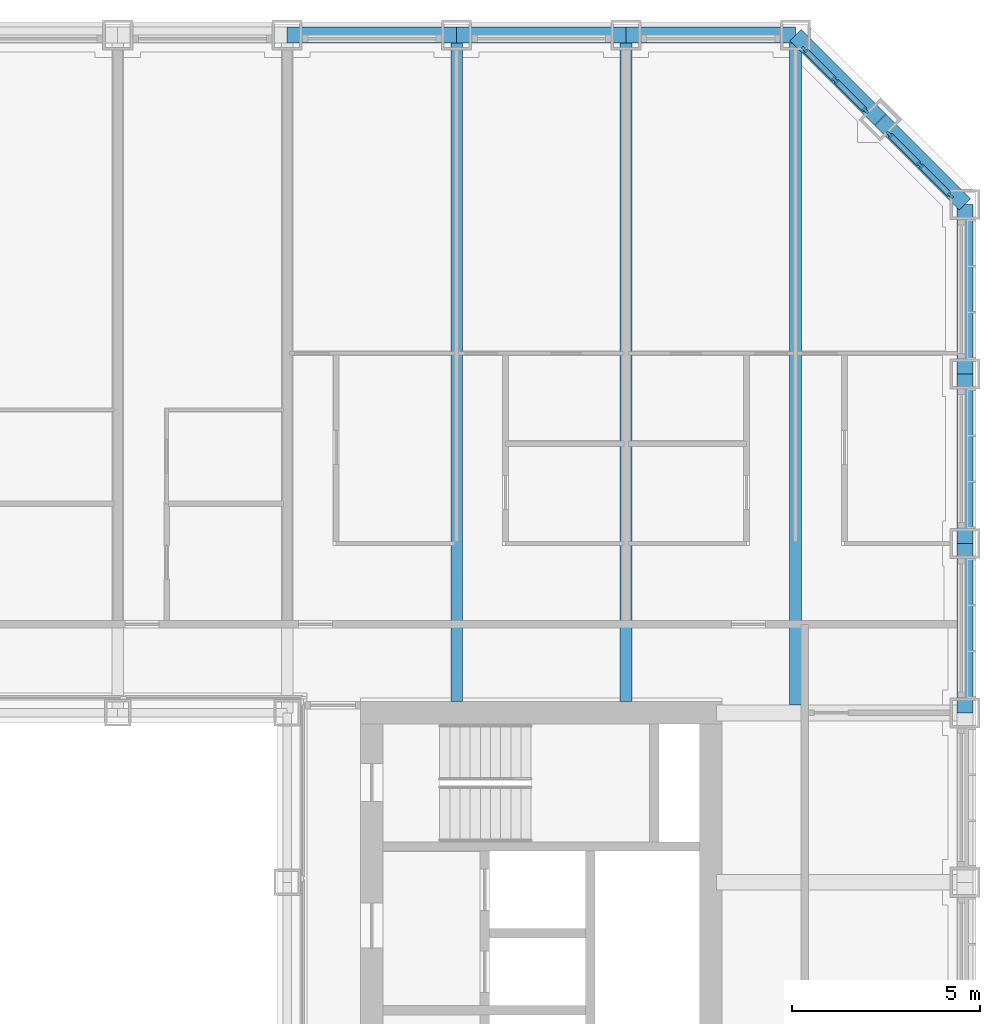
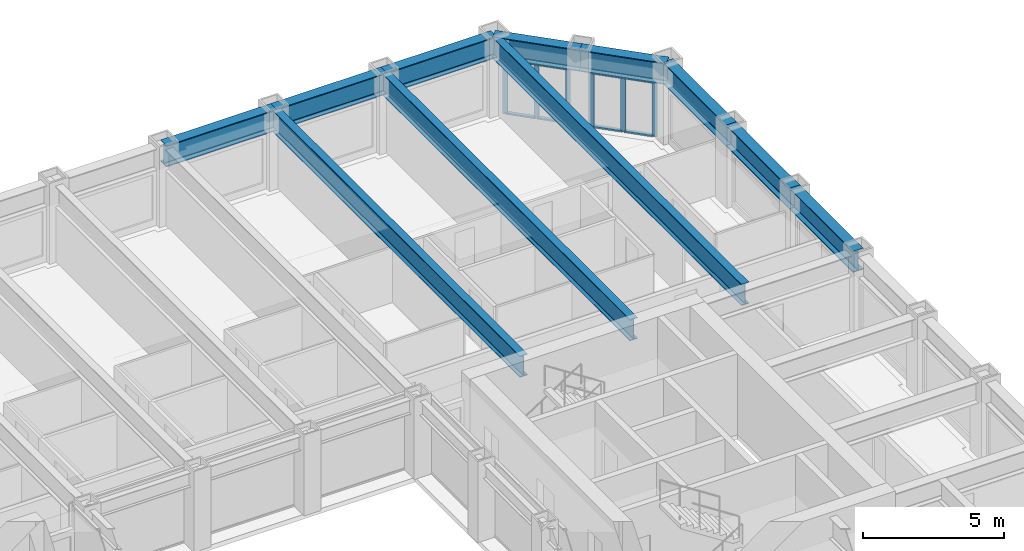
# One storey, part 7 of 21: 14 members, 11 beams, 2 elements without a shape of their own.
"""IFC4 building model written with IfcOpenShell, lengths in metres."""

import ifcopenshell
import ifcopenshell.guid

model = None  # the IFC model being written
_history = None  # IfcOwnerHistory: only IFC2X3 demands one
_inside = {}  # id of a spatial element -> (the spatial element, [elements in it])
_under = {}  # id of a project, library or spatial element -> (it, [spatial elements below it])
_declared = {}  # id of a project -> (the project, [libraries it declares])
_typed = {}  # id of a type object -> (the type object, [elements of that type])
_made_of = {}  # id of a material, layer set ... -> (it, [elements and type objects made of it])


def new_model(schema):
    """Start an empty IFC model of exactly this schema.

    Asked for "IFC4X3", IfcOpenShell would pick the latest addendum, in which some entities
    have other attributes; the version numbers below select the first issue.
    IFC2X3 requires an IfcOwnerHistory on every rooted entity: one is made here for all.
    """
    global model, _history
    if schema == "IFC4X3":
        model = ifcopenshell.file(schema_version=(4, 3, 0, 0))
    else:
        model = ifcopenshell.file(schema=schema)
    _inside.clear()
    _under.clear()
    _declared.clear()
    _typed.clear()
    _made_of.clear()
    _history = None
    if model.schema == "IFC2X3":
        org = make("IfcOrganization", Name="unknown")
        user = make(
            "IfcPersonAndOrganization",
            ThePerson=make("IfcPerson", FamilyName="unknown"),
            TheOrganization=org,
        )
        app = make(
            "IfcApplication",
            ApplicationDeveloper=org,
            Version="unknown",
            ApplicationFullName="unknown",
            ApplicationIdentifier="unknown",
        )
        _history = make(
            "IfcOwnerHistory",
            OwningUser=user,
            OwningApplication=app,
            ChangeAction="ADDED",
            CreationDate=0,
        )
    return model


def make(cls, **values):
    """One entity of the class cls with the attributes given. An attribute that is None is left unset."""
    return model.create_entity(
        cls, **{name: value for name, value in values.items() if value is not None}
    )


def rooted(cls, **values):
    """An entity with a GlobalId (a new one), such as an element, a storey or a relation."""
    return make(cls, GlobalId=ifcopenshell.guid.new(), OwnerHistory=_history, **values)


def si_unit(unit_type, name, prefix=None):
    """IfcSIUnit, for example si_unit("LENGTHUNIT", "METRE", prefix="MILLI")."""
    return make("IfcSIUnit", UnitType=unit_type, Prefix=prefix, Name=name)


def assignment(units):
    """IfcUnitAssignment: the units of a project."""
    return None if units is None else make("IfcUnitAssignment", Units=units)


def point(xyz):
    """IfcCartesianPoint."""
    return None if xyz is None else make("IfcCartesianPoint", Coordinates=xyz)


def direction(xyz):
    """IfcDirection."""
    return None if xyz is None else make("IfcDirection", DirectionRatios=xyz)


def frame(location, z_axis=None, x_axis=None):
    """IfcAxis2Placement3D, a coordinate frame: its origin and axes. An axis left out is left unset."""
    return make(
        "IfcAxis2Placement3D",
        Location=point(location),
        Axis=direction(z_axis),
        RefDirection=direction(x_axis),
    )


def frame_2d(location, x_axis=None):
    """IfcAxis2Placement2D, a coordinate frame in the plane: its origin and x axis."""
    return make(
        "IfcAxis2Placement2D", Location=point(location), RefDirection=direction(x_axis)
    )


def origin():
    """The frame at (0, 0, 0) with its axes left unset."""
    return frame((0.0, 0.0, 0.0))


def origin_2d():
    """The frame at (0, 0) in the plane with its x axis left unset."""
    return frame_2d((0.0, 0.0))


def place(relative_to, where):
    """IfcLocalPlacement: puts the frame where relative to a parent placement (None: the world)."""
    return make(
        "IfcLocalPlacement", PlacementRelTo=relative_to, RelativePlacement=where
    )


def context(
    kind, dimensions, precision=None, world=None, true_north=None, identifier=None
):
    """IfcGeometricRepresentationContext, for example the 3D "Model" context."""
    return make(
        "IfcGeometricRepresentationContext",
        ContextIdentifier=identifier,
        ContextType=kind,
        CoordinateSpaceDimension=dimensions,
        Precision=precision,
        WorldCoordinateSystem=world,
        TrueNorth=true_north,
    )


def subcontext(parent, identifier, kind, view, scale=None):
    """IfcGeometricRepresentationSubContext, for example "Body" below "Model"."""
    return make(
        "IfcGeometricRepresentationSubContext",
        ContextIdentifier=identifier,
        ContextType=kind,
        ParentContext=parent,
        TargetScale=scale,
        TargetView=view,
    )


def project(units=None, contexts=None):
    """IfcProject with its units and contexts."""
    return rooted(
        "IfcProject",
        Name="project",
        RepresentationContexts=contexts,
        UnitsInContext=assignment(units),
    )


def spatial(cls, under=None, at=None, **own):
    """A site, building, storey or space (cls), placed at a placement, below another one or the project."""
    s = rooted(cls, ObjectPlacement=at, **own)
    if under is not None:
        _under.setdefault(under.id(), (under, []))[1].append(s)
    return s


def profile(cls, at=None, kind="AREA", **sizes):
    """A parametric profile (cls). Its sizes go by their IFC names, for example OverallWidth=200.0."""
    return make(cls, ProfileType=kind, Position=at, **sizes)


def rectangle(**sizes):
    """IfcRectangleProfileDef."""
    return profile("IfcRectangleProfileDef", **sizes)


def i_section(**sizes):
    """IfcIShapeProfileDef."""
    return profile("IfcIShapeProfileDef", **sizes)


def extrude(swept, where, along, depth):
    """IfcExtrudedAreaSolid: the profile swept, set in the frame where, extruded along a direction by depth."""
    return make(
        "IfcExtrudedAreaSolid",
        SweptArea=swept,
        Position=where,
        ExtrudedDirection=direction(along),
        Depth=depth,
    )


def shape(context_of_items, identifier, shape_type, items):
    """IfcShapeRepresentation: the items that make up one representation, for example the "Body"."""
    return make(
        "IfcShapeRepresentation",
        ContextOfItems=context_of_items,
        RepresentationIdentifier=identifier,
        RepresentationType=shape_type,
        Items=items,
    )


def material(Name=None, Category=None):
    """IfcMaterial."""
    return make("IfcMaterial", Name=Name, Category=Category)


def material_profile(
    of_material, cross_section, Name=None, Category=None, Priority=None
):
    """IfcMaterialProfile: a cross section and its material."""
    return make(
        "IfcMaterialProfile",
        Name=Name,
        Material=of_material,
        Profile=cross_section,
        Priority=Priority,
        Category=Category,
    )


def profile_set(profiles, Name=None, composite=None):
    """IfcMaterialProfileSet."""
    return make(
        "IfcMaterialProfileSet",
        Name=Name,
        MaterialProfiles=profiles,
        CompositeProfile=composite,
    )


def made_of(thing, what):
    """Note that an element or type object is made of a material, layer set ...; save() writes the relation."""
    if what is not None:
        _made_of.setdefault(what.id(), (what, []))[1].append(thing)
    return thing


def type_object(cls, material=None, **own):
    """A type object (cls), such as IfcWallType, which elements share."""
    return made_of(rooted(cls, **own), material)


def element(
    cls,
    number,
    at=None,
    inside=None,
    cuts=None,
    type_object=None,
    material=None,
    context=None,
    identifier="Body",
    shape_type=None,
    held_by="IfcProductDefinitionShape",
    body=None,
    shapes=None,
    **own,
):
    """One element of the class cls, such as IfcWall. Its Tag is "e" and its number.

    at: its placement. inside: the storey or other place that contains it. cuts: it is an
    opening in that element (IfcRelVoidsElement). A single representation is given by context,
    identifier, shape_type and body (its items); several are given by shapes. held_by: the class
    of the entity that holds the representations. save() writes the other relations.
    """
    e = rooted(cls, Tag="e%d" % number, ObjectPlacement=at, **own)
    if body is not None:
        shapes = [shape(context, identifier, shape_type, body)]
    if shapes is not None:
        e.Representation = make(held_by, Representations=shapes)
    if inside is not None:
        _inside.setdefault(inside.id(), (inside, []))[1].append(e)
    if cuts is not None:
        rooted(
            "IfcRelVoidsElement", RelatingBuildingElement=cuts, RelatedOpeningElement=e
        )
    if type_object is not None:
        _typed.setdefault(type_object.id(), (type_object, []))[1].append(e)
    return made_of(e, material)


def aggregate(whole, parts):
    """IfcRelAggregates: a whole, such as a stair, and the parts it consists of."""
    return rooted("IfcRelAggregates", RelatingObject=whole, RelatedObjects=parts)


def save(model, path):
    """Write the relations noted so far, then the file.

    IfcRelAggregates (storeys below a building ...), IfcRelContainedInSpatialStructure (elements
    in a storey), IfcRelDefinesByType, IfcRelAssociatesMaterial and IfcRelDeclares: one each for
    every whole, place, type object, material and project.
    """
    for whole, parts in _under.values():
        aggregate(whole, parts)
    for where, things in _inside.values():
        rooted(
            "IfcRelContainedInSpatialStructure",
            RelatedElements=things,
            RelatingStructure=where,
        )
    for kind, things in _typed.values():
        rooted("IfcRelDefinesByType", RelatedObjects=things, RelatingType=kind)
    for what, things in _made_of.values():
        rooted("IfcRelAssociatesMaterial", RelatedObjects=things, RelatingMaterial=what)
    for by, libraries in _declared.values():
        rooted("IfcRelDeclares", RelatingContext=by, RelatedDefinitions=libraries)
    model.write(path)


model = new_model("IFC4")

# Units and contexts
model_context = context("Model", 3, precision=1e-05, world=origin(), true_north=direction((0.0, 1.0)))
body_context = subcontext(model_context, "Body", "Model", "MODEL_VIEW")
ifc_project = project(units=[si_unit("LENGTHUNIT", "METRE"), si_unit("AREAUNIT", "SQUARE_METRE"), si_unit("VOLUMEUNIT", "CUBIC_METRE"), si_unit("PLANEANGLEUNIT", "RADIAN"), si_unit("MASSUNIT", "GRAM", prefix="KILO")], contexts=[model_context])

# Site, building, storey
site_placement = place(None, origin())
site = spatial("IfcSite", under=ifc_project, at=site_placement, CompositionType="ELEMENT")
building_placement = place(site_placement, origin())
building = spatial("IfcBuilding", under=site, at=building_placement, Name="Msasa Ring Tower", CompositionType="ELEMENT")
storey_placement = place(building_placement, frame((0.0, 0.0, 40.5)))
storey = spatial("IfcBuildingStorey", under=building, at=storey_placement, Name="L09", CompositionType="ELEMENT", Elevation=40.5)

# Curtain wall, members
ifc_material_1 = material(Name="Aluminium curtain wall with clear glass", Category="aluminium")
curtain_wall_type = type_object("IfcCurtainWallType", Name="CW-C CHAMFER CORNER CURTAIN WALL", PredefinedType="NOTDEFINED", material=ifc_material_1)
curtain_wall_1_placement = place(storey_placement, origin())
curtain_wall_1 = element("IfcCurtainWall", 1, at=curtain_wall_1_placement, inside=storey, type_object=curtain_wall_type, Name="Chamfer corner curtain wall NE L09", PredefinedType="NOTDEFINED")
ifc_material_2 = material(Name="Aluminium mullion", Category="aluminium")
ifc_material_profile_1 = material_profile(ifc_material_2, rectangle(XDim=0.06494140625, YDim=0.179931640625, at=origin_2d()), Name="AL 65x180")
ifc_profile_set_1 = profile_set([ifc_material_profile_1], Name="Aluminium mullion")
member_type_1 = type_object("IfcMemberType", Name="CW-C MULLION 65x180", PredefinedType="MULLION", material=ifc_profile_set_1)
member_1_placement = place(storey_placement, frame((22.119873046875, 22.73876953125, 0.0), z_axis=(0.0, 0.0, 1.0), x_axis=(-0.707106781187, -0.707106781187, 0.0)))
member_1 = element("IfcMember", 2, at=member_1_placement, type_object=member_type_1, Name="CW-C mullion 1", PredefinedType="MULLION", context=body_context, shape_type="SweptSolid", body=[
    extrude(rectangle(XDim=0.06494140625, YDim=0.179931640625, at=origin_2d()), origin(), (0.0, 0.0, 1.0), 2.37890625),
])
member_2_placement = place(storey_placement, frame((21.30419921875, 23.55419921875, 0.0), z_axis=(0.0, 0.0, 1.0), x_axis=(-0.707106781187, -0.707106781187, 0.0)))
member_2 = element("IfcMember", 3, at=member_2_placement, type_object=member_type_1, Name="CW-C mullion 2", PredefinedType="MULLION", context=body_context, shape_type="SweptSolid", body=[
    extrude(rectangle(XDim=0.06494140625, YDim=0.179931640625, at=origin_2d()), origin(), (0.0, 0.0, 1.0), 2.37890625),
])
member_3_placement = place(storey_placement, frame((20.48876953125, 24.369873046875, 0.0), z_axis=(0.0, 0.0, 1.0), x_axis=(-0.707106781187, -0.707106781187, 0.0)))
member_3 = element("IfcMember", 4, at=member_3_placement, type_object=member_type_1, Name="CW-C mullion 3", PredefinedType="MULLION", context=body_context, shape_type="SweptSolid", body=[
    extrude(rectangle(XDim=0.06494140625, YDim=0.179931640625, at=origin_2d()), origin(), (0.0, 0.0, 1.0), 2.37890625),
])

curtain_wall_2_placement = place(storey_placement, origin())
curtain_wall_2 = element("IfcCurtainWall", 5, at=curtain_wall_2_placement, inside=storey, type_object=curtain_wall_type, Name="Chamfer corner curtain wall NE L09", PredefinedType="NOTDEFINED")
member_4_placement = place(storey_placement, frame((24.369873046875, 20.48876953125, 0.0), z_axis=(0.0, 0.0, 1.0), x_axis=(-0.707106781187, -0.707106781187, 0.0)))
member_4 = element("IfcMember", 6, at=member_4_placement, type_object=member_type_1, Name="CW-C mullion 1", PredefinedType="MULLION", context=body_context, shape_type="SweptSolid", body=[
    extrude(rectangle(XDim=0.06494140625, YDim=0.179931640625, at=origin_2d()), origin(), (0.0, 0.0, 1.0), 2.37890625),
])
member_5_placement = place(storey_placement, frame((23.55419921875, 21.30419921875, 0.0), z_axis=(0.0, 0.0, 1.0), x_axis=(-0.707106781187, -0.707106781187, 0.0)))
member_5 = element("IfcMember", 7, at=member_5_placement, type_object=member_type_1, Name="CW-C mullion 2", PredefinedType="MULLION", context=body_context, shape_type="SweptSolid", body=[
    extrude(rectangle(XDim=0.06494140625, YDim=0.179931640625, at=origin_2d()), origin(), (0.0, 0.0, 1.0), 2.37890625),
])
member_6_placement = place(storey_placement, frame((22.73876953125, 22.119873046875, 0.0), z_axis=(0.0, 0.0, 1.0), x_axis=(-0.707106781187, -0.707106781187, 0.0)))
member_6 = element("IfcMember", 8, at=member_6_placement, type_object=member_type_1, Name="CW-C mullion 3", PredefinedType="MULLION", context=body_context, shape_type="SweptSolid", body=[
    extrude(rectangle(XDim=0.06494140625, YDim=0.179931640625, at=origin_2d()), origin(), (0.0, 0.0, 1.0), 2.37890625),
])

# Member
ifc_material_3 = material(Name="Aluminium transom", Category="aluminium")
ifc_material_profile_2 = material_profile(ifc_material_3, rectangle(XDim=0.139892578125, YDim=0.06494140625, at=origin_2d()), Name="AL 65x140")
ifc_profile_set_2 = profile_set([ifc_material_profile_2], Name="Aluminium transom")
member_type_2 = type_object("IfcMemberType", Name="CW-C TRANSOM 65x140", PredefinedType="USERDEFINED", material=ifc_profile_set_2)
member_7_placement = place(storey_placement, frame((22.096923828125, 22.76171875, 0.032470703125), z_axis=(-0.707106781187, 0.707106781187, 0.0), x_axis=(-0.707106781187, -0.707106781187, 0.0)))
member_7 = element("IfcMember", 9, at=member_7_placement, type_object=member_type_2, Name="CW-C transom 1.1", ObjectType="TRANSOM", PredefinedType="USERDEFINED", context=body_context, shape_type="SweptSolid", body=[
    extrude(rectangle(XDim=0.139892578125, YDim=0.06494140625, at=origin_2d()), origin(), (0.0, 0.0, 1.0), 1.08837890625),
])

member_8_placement = place(storey_placement, frame((22.096923828125, 22.76171875, 2.346435546875), z_axis=(-0.707106781187, 0.707106781187, 0.0), x_axis=(-0.707106781187, -0.707106781187, 0.0)))
member_8 = element("IfcMember", 10, at=member_8_placement, type_object=member_type_2, Name="CW-C transom 1.2", ObjectType="TRANSOM", PredefinedType="USERDEFINED", context=body_context, shape_type="SweptSolid", body=[
    extrude(rectangle(XDim=0.139892578125, YDim=0.06494140625, at=origin_2d()), origin(), (0.0, 0.0, 1.0), 1.08837890625),
])

member_9_placement = place(storey_placement, frame((21.28125, 23.577392578125, 0.032470703125), z_axis=(-0.707106781187, 0.707106781187, 0.0), x_axis=(-0.707106781187, -0.707106781187, 0.0)))
member_9 = element("IfcMember", 11, at=member_9_placement, type_object=member_type_2, Name="CW-C transom 2.1", ObjectType="TRANSOM", PredefinedType="USERDEFINED", context=body_context, shape_type="SweptSolid", body=[
    extrude(rectangle(XDim=0.139892578125, YDim=0.06494140625, at=origin_2d()), origin(), (0.0, 0.0, 1.0), 1.08837890625),
])

member_10_placement = place(storey_placement, frame((21.28125, 23.577392578125, 2.346435546875), z_axis=(-0.707106781187, 0.707106781187, 0.0), x_axis=(-0.707106781187, -0.707106781187, 0.0)))
member_10 = element("IfcMember", 12, at=member_10_placement, type_object=member_type_2, Name="CW-C transom 2.2", ObjectType="TRANSOM", PredefinedType="USERDEFINED", context=body_context, shape_type="SweptSolid", body=[
    extrude(rectangle(XDim=0.139892578125, YDim=0.06494140625, at=origin_2d()), origin(), (0.0, 0.0, 1.0), 1.08837890625),
])

aggregate(curtain_wall_1, [member_1, member_2, member_3, member_7, member_8, member_9, member_10])

member_11_placement = place(storey_placement, frame((24.346923828125, 20.51171875, 0.032470703125), z_axis=(-0.707106781187, 0.707106781187, 0.0), x_axis=(-0.707106781187, -0.707106781187, 0.0)))
member_11 = element("IfcMember", 13, at=member_11_placement, type_object=member_type_2, Name="CW-C transom 1.1", ObjectType="TRANSOM", PredefinedType="USERDEFINED", context=body_context, shape_type="SweptSolid", body=[
    extrude(rectangle(XDim=0.139892578125, YDim=0.06494140625, at=origin_2d()), origin(), (0.0, 0.0, 1.0), 1.08837890625),
])

member_12_placement = place(storey_placement, frame((24.346923828125, 20.51171875, 2.346435546875), z_axis=(-0.707106781187, 0.707106781187, 0.0), x_axis=(-0.707106781187, -0.707106781187, 0.0)))
member_12 = element("IfcMember", 14, at=member_12_placement, type_object=member_type_2, Name="CW-C transom 1.2", ObjectType="TRANSOM", PredefinedType="USERDEFINED", context=body_context, shape_type="SweptSolid", body=[
    extrude(rectangle(XDim=0.139892578125, YDim=0.06494140625, at=origin_2d()), origin(), (0.0, 0.0, 1.0), 1.08837890625),
])

member_13_placement = place(storey_placement, frame((23.53125, 21.327392578125, 0.032470703125), z_axis=(-0.707106781187, 0.707106781187, 0.0), x_axis=(-0.707106781187, -0.707106781187, 0.0)))
member_13 = element("IfcMember", 15, at=member_13_placement, type_object=member_type_2, Name="CW-C transom 2.1", ObjectType="TRANSOM", PredefinedType="USERDEFINED", context=body_context, shape_type="SweptSolid", body=[
    extrude(rectangle(XDim=0.139892578125, YDim=0.06494140625, at=origin_2d()), origin(), (0.0, 0.0, 1.0), 1.08837890625),
])

member_14_placement = place(storey_placement, frame((23.53125, 21.327392578125, 2.346435546875), z_axis=(-0.707106781187, 0.707106781187, 0.0), x_axis=(-0.707106781187, -0.707106781187, 0.0)))
member_14 = element("IfcMember", 16, at=member_14_placement, type_object=member_type_2, Name="CW-C transom 2.2", ObjectType="TRANSOM", PredefinedType="USERDEFINED", context=body_context, shape_type="SweptSolid", body=[
    extrude(rectangle(XDim=0.139892578125, YDim=0.06494140625, at=origin_2d()), origin(), (0.0, 0.0, 1.0), 1.08837890625),
])

aggregate(curtain_wall_2, [member_4, member_5, member_6, member_11, member_12, member_13, member_14])

# Beams
ifc_material_4 = material(Name="Steel S355", Category="steel")
ifc_material_profile_3 = material_profile(ifc_material_4, i_section(OverallWidth=0.3076171875, OverallDepth=0.926513671875, WebThickness=0.01953125, FlangeThickness=0.031982421875, FilletRadius=0.01904296875, at=origin_2d()), Name="UB 914x305x289")
ifc_profile_set_3 = profile_set([ifc_material_profile_3], Name="Steel S355")
beam_type_1 = type_object("IfcBeamType", Name="FB3 UB 914x305x289", PredefinedType="BEAM", material=ifc_profile_set_3)
for number, where, z_axis, x_axis, name in (
    (17, (11.25, 24.75, 2.836669921875), (0.0, -1.0, 0.0), (1.0, 0.0, 0.0), "Floor beam N+11.25 under L10"),
    (18, (15.75, 24.75, 2.836669921875), (0.0, -1.0, 0.0), (1.0, 0.0, 0.0), "Floor beam N+15.75 under L10"),
):
    element("IfcBeam", number, at=place(storey_placement, frame(where, z_axis=z_axis, x_axis=x_axis)), inside=storey, type_object=beam_type_1, Name=name, PredefinedType="BEAM", context=body_context, shape_type="SweptSolid", body=[
        extrude(i_section(OverallWidth=0.3076171875, OverallDepth=0.926513671875, WebThickness=0.01953125, FlangeThickness=0.031982421875, FilletRadius=0.01904296875, at=origin_2d()), origin(), (0.0, 0.0, 1.0), 17.699951171875),
    ])
beam_placement = place(storey_placement, frame((20.25, 24.75, 2.836669921875), z_axis=(0.0, -1.0, 0.0), x_axis=(1.0, 0.0, 0.0)))
element("IfcBeam", 19, at=beam_placement, inside=storey, type_object=beam_type_1, Name="Floor beam N+20.25 under L10", PredefinedType="BEAM", context=body_context, shape_type="SweptSolid", body=[
    extrude(i_section(OverallWidth=0.3076171875, OverallDepth=0.926513671875, WebThickness=0.01953125, FlangeThickness=0.031982421875, FilletRadius=0.01904296875, at=origin_2d()), origin(), (0.0, 0.0, 1.0), 17.789794921875),
])
ifc_material_5 = material(Name="Steel S355", Category="steel")
ifc_material_profile_4 = material_profile(ifc_material_5, i_section(OverallWidth=0.42041015625, OverallDepth=0.9208984375, WebThickness=0.021484375, FlangeThickness=0.03662109375, FilletRadius=0.024169921875, at=origin_2d()), Name="UB 914x419x388")
ifc_profile_set_4 = profile_set([ifc_material_profile_4], Name="Steel S355")
beam_type_2 = type_object("IfcBeamType", Name="SB1 UB 914x419x388", PredefinedType="SPANDREL", material=ifc_profile_set_4)
for number, where, z_axis, x_axis, name in (
    (20, (24.75, 6.75, 2.839599609375), (0.0, 1.0, 0.0), (-1.0, 0.0, 0.0), "Spandrel E+6.75 to E+11.25 under L10"),
    (21, (24.75, 11.25, 2.839599609375), (0.0, 1.0, 0.0), (-1.0, 0.0, 0.0), "Spandrel E+11.25 to E+15.75 under L10"),
    (22, (24.75, 15.75, 2.839599609375), (0.0, 1.0, 0.0), (-1.0, 0.0, 0.0), "Spandrel E+15.75 to E+20.25 under L10"),
):
    element("IfcBeam", number, at=place(storey_placement, frame(where, z_axis=z_axis, x_axis=x_axis)), inside=storey, type_object=beam_type_2, Name=name, PredefinedType="SPANDREL", context=body_context, shape_type="SweptSolid", body=[
        extrude(i_section(OverallWidth=0.42041015625, OverallDepth=0.9208984375, WebThickness=0.021484375, FlangeThickness=0.03662109375, FilletRadius=0.024169921875, at=origin_2d()), origin(), (0.0, 0.0, 1.0), 4.5),
    ])
for number, where, z_axis, x_axis, name in (
    (23, (24.75, 20.25, 2.839599609375), (-0.707106781187, 0.707106781187, 0.0), (-0.707106781187, -0.707106781187, 0.0), "Spandrel E+20.25 to NE under L10"),
    (24, (22.5, 22.5, 2.839599609375), (-0.707106781187, 0.707106781187, 0.0), (-0.707106781187, -0.707106781187, 0.0), "Spandrel NE to N+20.25 under L10"),
):
    element("IfcBeam", number, at=place(storey_placement, frame(where, z_axis=z_axis, x_axis=x_axis)), inside=storey, type_object=beam_type_2, Name=name, PredefinedType="SPANDREL", context=body_context, shape_type="SweptSolid", body=[
        extrude(i_section(OverallWidth=0.42041015625, OverallDepth=0.9208984375, WebThickness=0.021484375, FlangeThickness=0.03662109375, FilletRadius=0.024169921875, at=origin_2d()), origin(), (0.0, 0.0, 1.0), 3.181884765625),
    ])
for number, where, z_axis, x_axis, name in (
    (25, (20.25, 24.75, 2.839599609375), (-1.0, 0.0, 0.0), (0.0, -1.0, 0.0), "Spandrel N+20.25 to N+15.75 under L10"),
    (26, (15.75, 24.75, 2.839599609375), (-1.0, 0.0, 0.0), (0.0, -1.0, 0.0), "Spandrel N+15.75 to N+11.25 under L10"),
    (27, (11.25, 24.75, 2.839599609375), (-1.0, 0.0, 0.0), (0.0, -1.0, 0.0), "Spandrel N+11.25 to N+6.75 under L10"),
):
    element("IfcBeam", number, at=place(storey_placement, frame(where, z_axis=z_axis, x_axis=x_axis)), inside=storey, type_object=beam_type_2, Name=name, PredefinedType="SPANDREL", context=body_context, shape_type="SweptSolid", body=[
        extrude(i_section(OverallWidth=0.42041015625, OverallDepth=0.9208984375, WebThickness=0.021484375, FlangeThickness=0.03662109375, FilletRadius=0.024169921875, at=origin_2d()), origin(), (0.0, 0.0, 1.0), 4.5),
    ])

save(model, "model.ifc")
